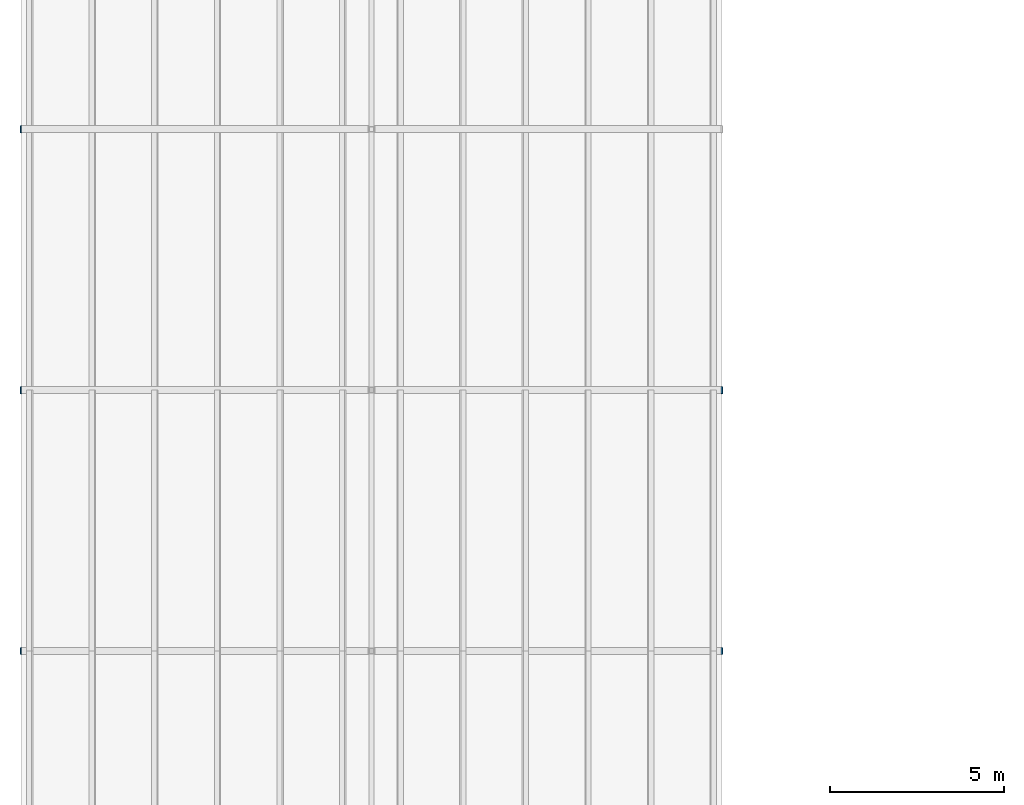
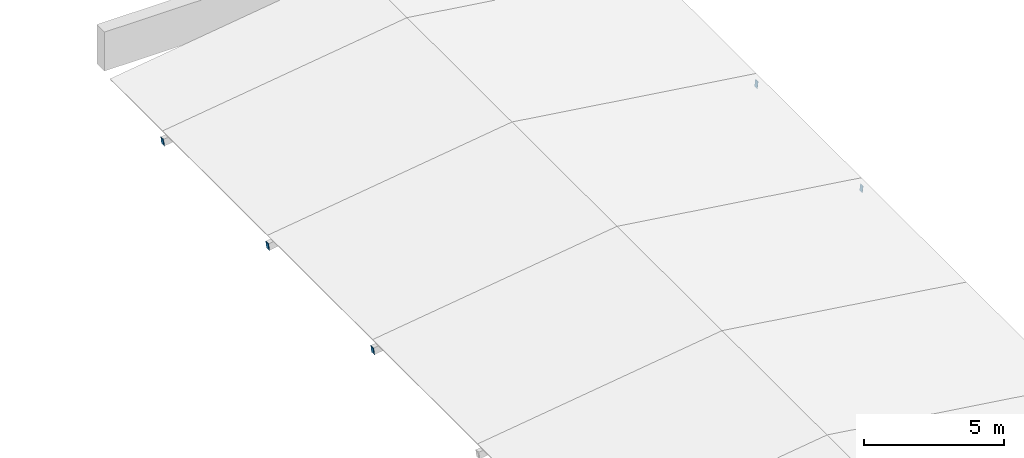
# One storey, part 31 of 52: 5 discrete accessories.
"""IFC4 building model written with IfcOpenShell, lengths in metres."""

from ifc_helpers import new_model, si_unit, direction, frame, origin, origin_2d, place, context, subcontext, project, spatial, rectangle, extrude, material, material_profile, profile_set, type_object, element, save


model = new_model("IFC4")

# Units and contexts
model_context = context("Model", 3, precision=1e-05, world=origin(), true_north=direction((0.0, 1.0)))
body_context = subcontext(model_context, "Body", "Model", "MODEL_VIEW")
ifc_project = project(units=[si_unit("LENGTHUNIT", "METRE"), si_unit("AREAUNIT", "SQUARE_METRE"), si_unit("VOLUMEUNIT", "CUBIC_METRE"), si_unit("PLANEANGLEUNIT", "RADIAN"), si_unit("MASSUNIT", "GRAM", prefix="KILO")], contexts=[model_context])

# Site, building, storey
site_placement = place(None, origin())
site = spatial("IfcSite", under=ifc_project, at=site_placement, CompositionType="ELEMENT")
building_placement = place(site_placement, origin())
building = spatial("IfcBuilding", under=site, at=building_placement, Name="Cour d'Honneur Mobility Palace", CompositionType="ELEMENT")
storey_placement = place(building_placement, frame((0.0, 0.0, 23.0)))
storey = spatial("IfcBuildingStorey", under=building, at=storey_placement, Name="L06", CompositionType="ELEMENT", Elevation=23.0)

# Discrete accessories
ifc_material = material(Name="Steel S355", Category="steel")
ifc_material_profile = material_profile(ifc_material, rectangle(XDim=0.199951171875, YDim=0.300048828125, at=origin_2d()), Name="PL 300x200x10")
ifc_profile_set = profile_set([ifc_material_profile], Name="Steel S355")
discrete_accessory_type = type_object("IfcDiscreteAccessoryType", Name="End cap plate RHS 300x200x12.5", PredefinedType="USERDEFINED", material=ifc_profile_set)
for number, where, z_axis, x_axis, name in (
    (1, (-1.385009765625, 84.89990234375, 0.240234375), (0.992645877551, 0.0, 0.121054375311), (0.0, 1.0, 0.0), "End cap plate EC-TF-C3W-1"),
    (2, (18.77490234375, 84.89990234375, 0.241455078125), (0.992645877551, 0.0, -0.121054375311), (0.0, 1.0, 0.0), "End cap plate EC-TF-C3E-2"),
    (3, (-1.385009765625, 92.39990234375, 0.240234375), (0.992645877551, 0.0, 0.121054375311), (0.0, 1.0, 0.0), "End cap plate EC-TF-C4W-1"),
    (4, (18.77490234375, 92.39990234375, 0.241455078125), (0.992645877551, 0.0, -0.121054375311), (0.0, 1.0, 0.0), "End cap plate EC-TF-C4E-2"),
    (5, (-1.385009765625, 99.89990234375, 0.240234375), (0.992645877551, 0.0, 0.121054375311), (0.0, 1.0, 0.0), "End cap plate EC-TF-C5W-1"),
):
    element("IfcDiscreteAccessory", number, at=place(storey_placement, frame(where, z_axis=z_axis, x_axis=x_axis)), inside=storey, type_object=discrete_accessory_type, Name=name, ObjectType="END CAP PLATE", PredefinedType="USERDEFINED", context=body_context, shape_type="SweptSolid", body=[
        extrude(rectangle(XDim=0.199951171875, YDim=0.300048828125, at=origin_2d()), origin(), (0.0, 0.0, 1.0), 0.010009765625),
    ])

save(model, "model.ifc")
